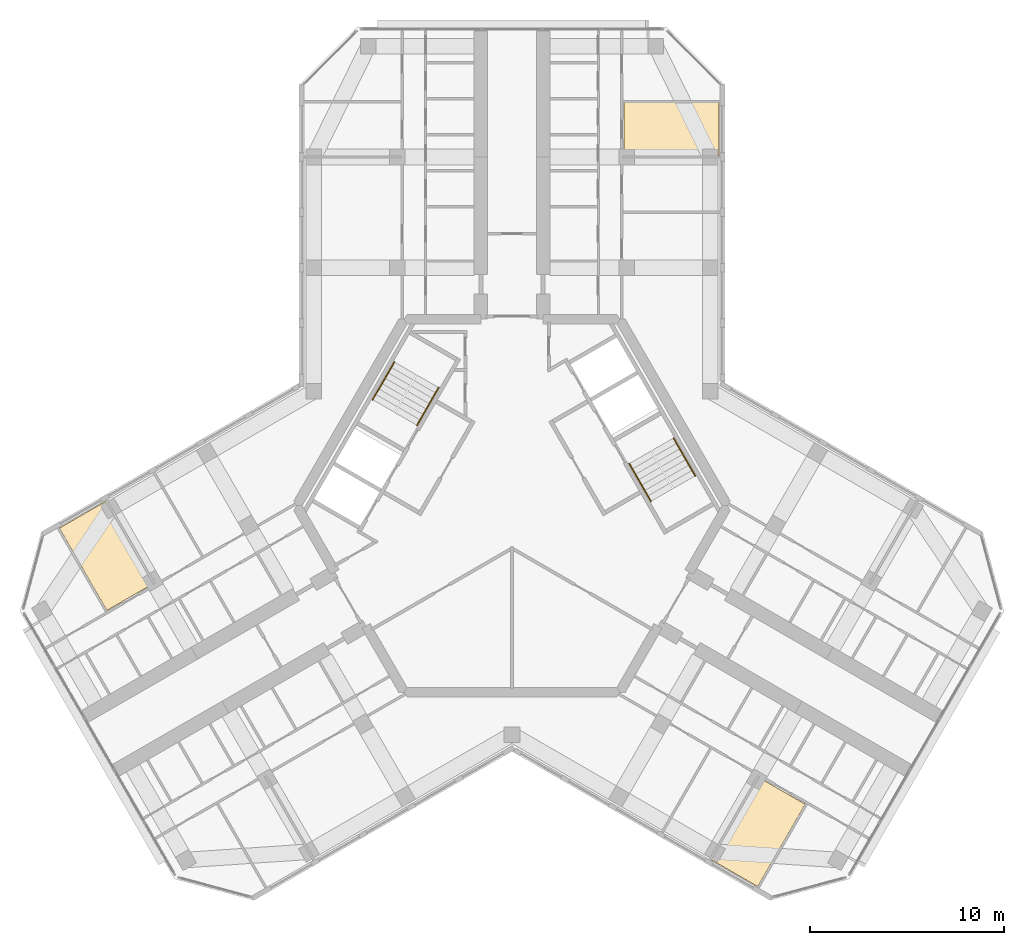
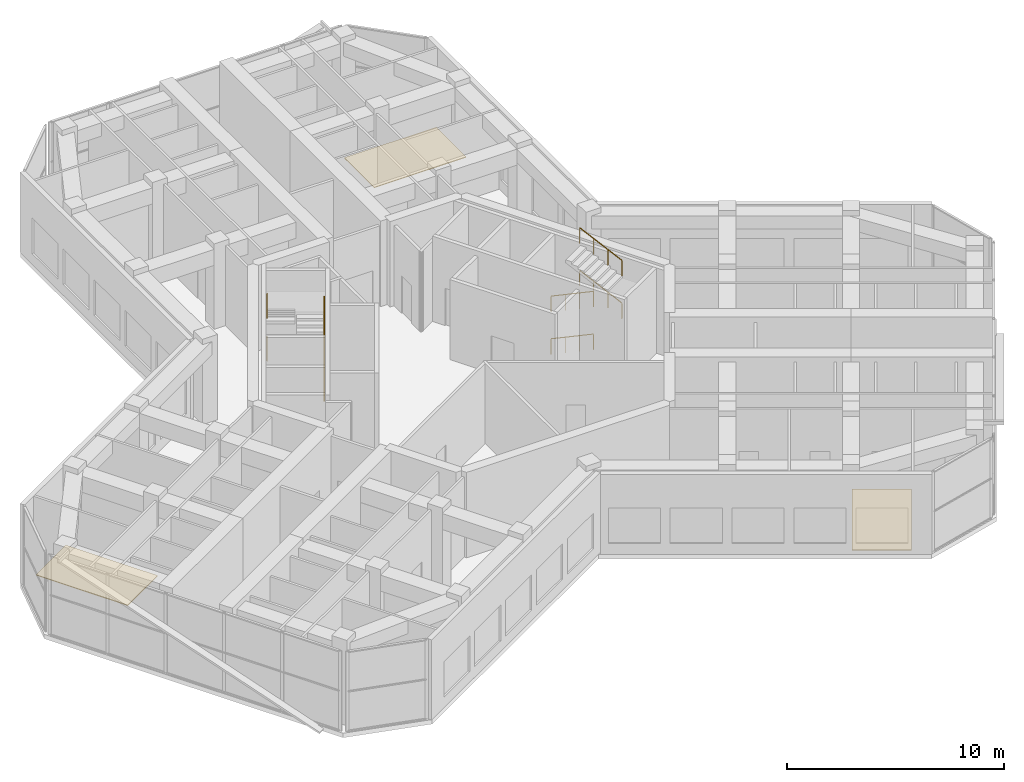
# One storey, part 14 of 14: 8 railings, 3 coverings.
"""IFC4 building model written with IfcOpenShell, lengths in metres."""

from ifc_helpers import new_model, si_unit, direction, frame, origin, origin_2d, place, context, subcontext, project, spatial, polyline, circle, outline, extrude, material, layer, layer_set, type_object, element, save


model = new_model("IFC4")

# Units and contexts
model_context = context("Model", 3, precision=1e-05, world=origin(), true_north=direction((0.0, 1.0)))
body_context = subcontext(model_context, "Body", "Model", "MODEL_VIEW")
ifc_project = project(units=[si_unit("LENGTHUNIT", "METRE"), si_unit("AREAUNIT", "SQUARE_METRE"), si_unit("VOLUMEUNIT", "CUBIC_METRE"), si_unit("PLANEANGLEUNIT", "RADIAN"), si_unit("MASSUNIT", "GRAM", prefix="KILO")], contexts=[model_context])

# Site, building, storey
site_placement = place(None, origin())
site = spatial("IfcSite", under=ifc_project, at=site_placement, CompositionType="ELEMENT")
building_placement = place(site_placement, origin())
building = spatial("IfcBuilding", under=site, at=building_placement, Name="Kosmar Iwan School Tower", CompositionType="ELEMENT")
storey_placement = place(building_placement, frame((0.0, 0.0, 296.199951171875)))
storey = spatial("IfcBuildingStorey", under=building, at=storey_placement, Name="L75", CompositionType="ELEMENT", Elevation=296.199951171875)

# Railings
ifc_material_1 = material(Name="Black steel", Category="steel")
railing_type = type_object("IfcRailingType", Name="Stair handrail 900", PredefinedType="HANDRAIL", material=ifc_material_1)
railing_1_placement = place(storey_placement, frame((-4.89453125, 4.142333984375, 0.150146484375)))
element("IfcRailing", 1, at=railing_1_placement, inside=storey, type_object=railing_type, Name="Handrail ST2 flight 1", PredefinedType="HANDRAIL", context=body_context, shape_type="SweptSolid", body=[
    extrude(circle(Radius=0.02392578125, at=origin_2d()), frame((0.0, 0.0, 0.8759765625), z_axis=(0.452697450193, 0.784201861617, 0.424373018494), x_axis=(-0.866054910533, 0.49994888933, 0.0)), (0.0, 0.0, 1.0), 2.473876953125),
    extrude(circle(Radius=0.02099609375, at=origin_2d()), origin(), (0.0, 0.0, 1.0), 0.851806640625),
    extrude(circle(Radius=0.02099609375, at=origin_2d()), frame((0.373291015625, 0.646728515625, 0.349853515625)), (0.0, 0.0, 1.0), 0.851806640625),
    extrude(circle(Radius=0.02099609375, at=origin_2d()), frame((0.74658203125, 1.293212890625, 0.699951171875)), (0.0, 0.0, 1.0), 0.851806640625),
    extrude(circle(Radius=0.02099609375, at=origin_2d()), frame((1.119873046875, 1.93994140625, 1.0498046875)), (0.0, 0.0, 1.0), 0.851806640625),
])
railing_2_placement = place(storey_placement, frame((-6.05224609375, 7.397216796875, 1.35009765625)))
element("IfcRailing", 2, at=railing_2_placement, inside=storey, type_object=railing_type, Name="Handrail ST2 flight 2", PredefinedType="HANDRAIL", context=body_context, shape_type="SweptSolid", body=[
    extrude(circle(Radius=0.02392578125, at=origin_2d()), frame((0.0, 0.0, 0.8759765625), z_axis=(-0.452756948549, -0.784133982819, 0.424434968551), x_axis=(0.866007717299, -0.500030632641, 0.0)), (0.0, 0.0, 1.0), 2.473876953125),
    extrude(circle(Radius=0.02099609375, at=origin_2d()), origin(), (0.0, 0.0, 1.0), 0.851806640625),
    extrude(circle(Radius=0.02099609375, at=origin_2d()), frame((-0.373291015625, -0.646728515625, 0.35009765625)), (0.0, 0.0, 1.0), 0.851806640625),
    extrude(circle(Radius=0.02099609375, at=origin_2d()), frame((-0.746826171875, -1.293212890625, 0.699951171875)), (0.0, 0.0, 1.0), 0.851806640625),
    extrude(circle(Radius=0.02099609375, at=origin_2d()), frame((-1.1201171875, -1.93994140625, 1.050048828125)), (0.0, 0.0, 1.0), 0.851806640625),
])
railing_3_placement = place(storey_placement, frame((-4.89453125, 4.142333984375, 2.550048828125)))
element("IfcRailing", 3, at=railing_3_placement, inside=storey, type_object=railing_type, Name="Handrail ST2 flight 3", PredefinedType="HANDRAIL", context=body_context, shape_type="SweptSolid", body=[
    extrude(circle(Radius=0.02392578125, at=origin_2d()), frame((0.0, 0.0, 0.8759765625), z_axis=(0.45267848932, 0.784169015945, 0.424453931233), x_axis=(-0.866054910533, 0.49994888933, 0.0)), (0.0, 0.0, 1.0), 2.473876953125),
    extrude(circle(Radius=0.02099609375, at=origin_2d()), origin(), (0.0, 0.0, 1.0), 0.851806640625),
    extrude(circle(Radius=0.02099609375, at=origin_2d()), frame((0.373291015625, 0.646728515625, 0.35009765625)), (0.0, 0.0, 1.0), 0.851806640625),
    extrude(circle(Radius=0.02099609375, at=origin_2d()), frame((0.74658203125, 1.293212890625, 0.699951171875)), (0.0, 0.0, 1.0), 0.851806640625),
    extrude(circle(Radius=0.02099609375, at=origin_2d()), frame((1.119873046875, 1.93994140625, 1.050048828125)), (0.0, 0.0, 1.0), 0.851806640625),
])
railing_4_placement = place(storey_placement, frame((-6.05224609375, 7.397216796875, 3.75)))
element("IfcRailing", 4, at=railing_4_placement, inside=storey, type_object=railing_type, Name="Handrail ST2 flight 4", PredefinedType="HANDRAIL", context=body_context, shape_type="SweptSolid", body=[
    extrude(circle(Radius=0.02392578125, at=origin_2d()), frame((0.0, 0.0, 0.8759765625), z_axis=(-0.452756948549, -0.784133982819, 0.424434968551), x_axis=(0.866007717299, -0.500030632641, 0.0)), (0.0, 0.0, 1.0), 2.473876953125),
    extrude(circle(Radius=0.02099609375, at=origin_2d()), origin(), (0.0, 0.0, 1.0), 0.851806640625),
    extrude(circle(Radius=0.02099609375, at=origin_2d()), frame((-0.373291015625, -0.646728515625, 0.35009765625)), (0.0, 0.0, 1.0), 0.851806640625),
    extrude(circle(Radius=0.02099609375, at=origin_2d()), frame((-0.746826171875, -1.293212890625, 0.699951171875)), (0.0, 0.0, 1.0), 0.851806640625),
    extrude(circle(Radius=0.02099609375, at=origin_2d()), frame((-1.1201171875, -1.93994140625, 1.050048828125)), (0.0, 0.0, 1.0), 0.851806640625),
])
railing_5_placement = place(storey_placement, frame((6.03466796875, 2.167724609375, 0.150146484375)))
element("IfcRailing", 5, at=railing_5_placement, inside=storey, type_object=railing_type, Name="Handrail ST1 flight 1", PredefinedType="HANDRAIL", context=body_context, shape_type="SweptSolid", body=[
    extrude(circle(Radius=0.02392578125, at=origin_2d()), frame((0.0, 0.0, 0.8759765625), z_axis=(0.452697450193, -0.784201861617, 0.424373018494), x_axis=(0.866054910533, 0.49994888933, 0.0)), (0.0, 0.0, 1.0), 2.473876953125),
    extrude(circle(Radius=0.02099609375, at=origin_2d()), origin(), (0.0, 0.0, 1.0), 0.851806640625),
    extrude(circle(Radius=0.02099609375, at=origin_2d()), frame((0.373291015625, -0.646728515625, 0.349853515625)), (0.0, 0.0, 1.0), 0.851806640625),
    extrude(circle(Radius=0.02099609375, at=origin_2d()), frame((0.74658203125, -1.293212890625, 0.699951171875)), (0.0, 0.0, 1.0), 0.851806640625),
    extrude(circle(Radius=0.02099609375, at=origin_2d()), frame((1.119873046875, -1.93994140625, 1.0498046875)), (0.0, 0.0, 1.0), 0.851806640625),
])
railing_6_placement = place(storey_placement, frame((9.432373046875, 1.542724609375, 1.35009765625)))
element("IfcRailing", 6, at=railing_6_placement, inside=storey, type_object=railing_type, Name="Handrail ST1 flight 2", PredefinedType="HANDRAIL", context=body_context, shape_type="SweptSolid", body=[
    extrude(circle(Radius=0.02392578125, at=origin_2d()), frame((0.0, 0.0, 0.8759765625), z_axis=(-0.452756948549, 0.784133982819, 0.424434968551), x_axis=(-0.866007717299, -0.500030632641, 0.0)), (0.0, 0.0, 1.0), 2.473876953125),
    extrude(circle(Radius=0.02099609375, at=origin_2d()), origin(), (0.0, 0.0, 1.0), 0.851806640625),
    extrude(circle(Radius=0.02099609375, at=origin_2d()), frame((-0.373291015625, 0.646728515625, 0.35009765625)), (0.0, 0.0, 1.0), 0.851806640625),
    extrude(circle(Radius=0.02099609375, at=origin_2d()), frame((-0.746826171875, 1.293212890625, 0.699951171875)), (0.0, 0.0, 1.0), 0.851806640625),
    extrude(circle(Radius=0.02099609375, at=origin_2d()), frame((-1.1201171875, 1.93994140625, 1.050048828125)), (0.0, 0.0, 1.0), 0.851806640625),
])
railing_7_placement = place(storey_placement, frame((6.03466796875, 2.167724609375, 2.550048828125)))
element("IfcRailing", 7, at=railing_7_placement, inside=storey, type_object=railing_type, Name="Handrail ST1 flight 3", PredefinedType="HANDRAIL", context=body_context, shape_type="SweptSolid", body=[
    extrude(circle(Radius=0.02392578125, at=origin_2d()), frame((0.0, 0.0, 0.8759765625), z_axis=(0.45267848932, -0.784169015945, 0.424453931233), x_axis=(0.866054910533, 0.49994888933, 0.0)), (0.0, 0.0, 1.0), 2.473876953125),
    extrude(circle(Radius=0.02099609375, at=origin_2d()), origin(), (0.0, 0.0, 1.0), 0.851806640625),
    extrude(circle(Radius=0.02099609375, at=origin_2d()), frame((0.373291015625, -0.646728515625, 0.35009765625)), (0.0, 0.0, 1.0), 0.851806640625),
    extrude(circle(Radius=0.02099609375, at=origin_2d()), frame((0.74658203125, -1.293212890625, 0.699951171875)), (0.0, 0.0, 1.0), 0.851806640625),
    extrude(circle(Radius=0.02099609375, at=origin_2d()), frame((1.119873046875, -1.93994140625, 1.050048828125)), (0.0, 0.0, 1.0), 0.851806640625),
])
railing_8_placement = place(storey_placement, frame((9.432373046875, 1.542724609375, 3.75)))
element("IfcRailing", 8, at=railing_8_placement, inside=storey, type_object=railing_type, Name="Handrail ST1 flight 4", PredefinedType="HANDRAIL", context=body_context, shape_type="SweptSolid", body=[
    extrude(circle(Radius=0.02392578125, at=origin_2d()), frame((0.0, 0.0, 0.8759765625), z_axis=(-0.452756948549, 0.784133982819, 0.424434968551), x_axis=(-0.866007717299, -0.500030632641, 0.0)), (0.0, 0.0, 1.0), 2.473876953125),
    extrude(circle(Radius=0.02099609375, at=origin_2d()), origin(), (0.0, 0.0, 1.0), 0.851806640625),
    extrude(circle(Radius=0.02099609375, at=origin_2d()), frame((-0.373291015625, 0.646728515625, 0.35009765625)), (0.0, 0.0, 1.0), 0.851806640625),
    extrude(circle(Radius=0.02099609375, at=origin_2d()), frame((-0.746826171875, 1.293212890625, 0.699951171875)), (0.0, 0.0, 1.0), 0.851806640625),
    extrude(circle(Radius=0.02099609375, at=origin_2d()), frame((-1.1201171875, 1.93994140625, 1.050048828125)), (0.0, 0.0, 1.0), 0.851806640625),
])

# Coverings
ifc_material_2 = material(Name="Honed limestone on mortar bed", Category="masonry")
ifc_layer = layer(ifc_material_2, 0.0400390625)
ifc_layer_set = layer_set([ifc_layer], Name="Winter garden stone flooring 40")
covering_type = type_object("IfcCoveringType", Name="Winter garden stone flooring 40", PredefinedType="FLOORING", material=ifc_layer_set)
covering_1_placement = place(storey_placement, origin())
element("IfcCovering", 9, at=covering_1_placement, inside=storey, type_object=covering_type, Name="Winter garden flooring L75-AR1-F3", PredefinedType="FLOORING", context=body_context, shape_type="SweptSolid", body=[
    extrude(outline(polyline([(5.760009765625, 18.0), (10.64990234375, 18.0), (10.64990234375, 20.75), (5.760009765625, 20.75), (5.760009765625, 18.0)])), origin(), (0.0, 0.0, 1.0), 0.0400390625),
])
covering_2_placement = place(storey_placement, origin())
element("IfcCovering", 10, at=covering_2_placement, inside=storey, type_object=covering_type, Name="Winter garden flooring L75-BR1-F3", PredefinedType="FLOORING", context=body_context, shape_type="SweptSolid", body=[
    extrude(outline(polyline([(-20.85009765625, -5.38671875), (-18.468505859375, -4.01171875), (-20.91357421875, 0.22314453125), (-23.294921875, -1.15185546875), (-20.85009765625, -5.38671875)])), origin(), (0.0, 0.0, 1.0), 0.0400390625),
])
covering_3_placement = place(storey_placement, origin())
element("IfcCovering", 11, at=covering_3_placement, inside=storey, type_object=covering_type, Name="Winter garden flooring L75-CR1-F3", PredefinedType="FLOORING", context=body_context, shape_type="SweptSolid", body=[
    extrude(outline(polyline([(12.64501953125, -19.59814453125), (15.090087890625, -15.36328125), (12.70849609375, -13.98828125), (10.263427734375, -18.22314453125), (12.64501953125, -19.59814453125)])), origin(), (0.0, 0.0, 1.0), 0.0400390625),
])

save(model, "model.ifc")
